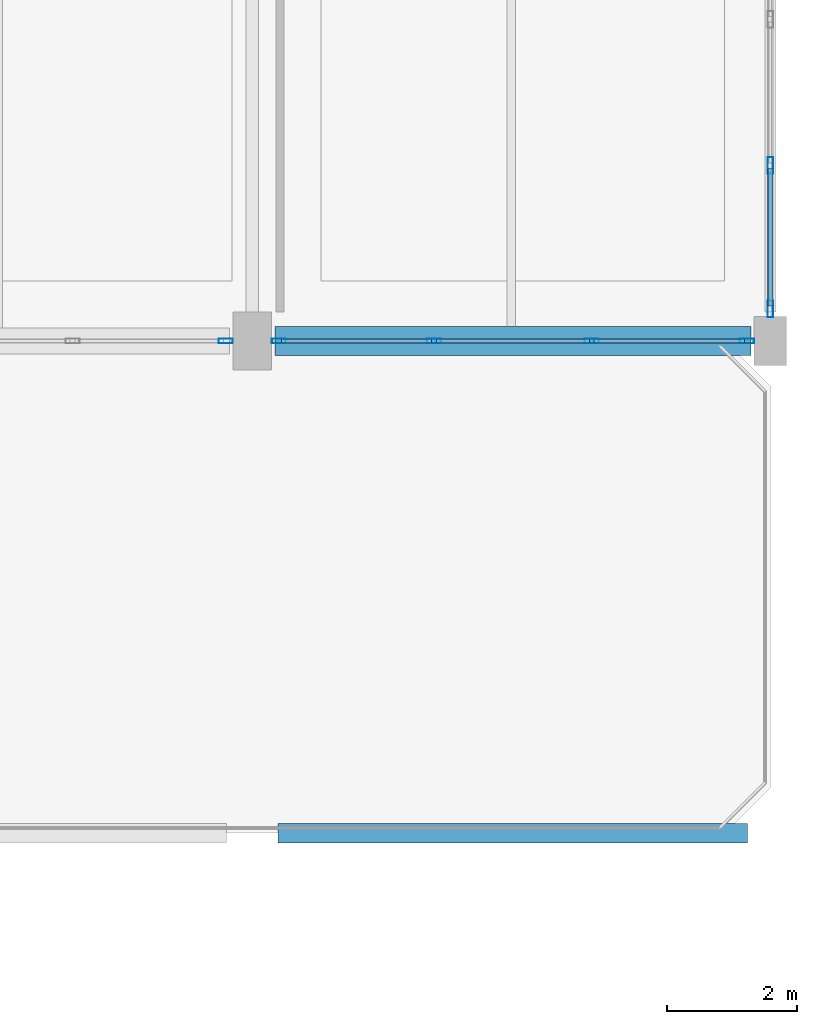
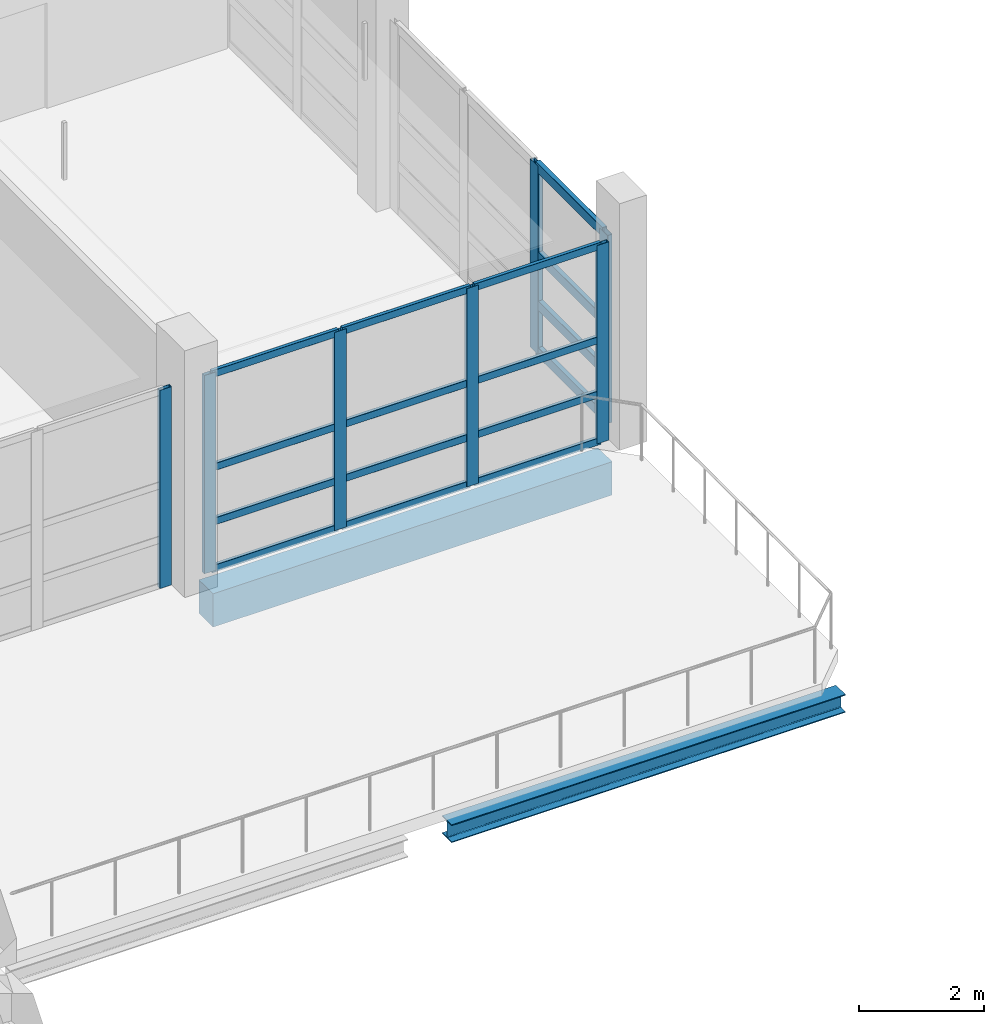
# One storey, part 66 of 141: 23 members, 2 beams, 3 elements without a shape of their own.
"""IFC4 building model written with IfcOpenShell, lengths in metres."""

from ifc_helpers import new_model, si_unit, direction, frame, origin, origin_2d, place, context, subcontext, project, spatial, rectangle, hollow_rectangle, i_section, extrude, material, material_profile, profile_set, type_object, element, aggregate, save


model = new_model("IFC4")

# Units and contexts
model_context = context("Model", 3, precision=1e-05, world=origin(), true_north=direction((0.0, 1.0)))
body_context = subcontext(model_context, "Body", "Model", "MODEL_VIEW")
ifc_project = project(units=[si_unit("LENGTHUNIT", "METRE"), si_unit("AREAUNIT", "SQUARE_METRE"), si_unit("VOLUMEUNIT", "CUBIC_METRE"), si_unit("PLANEANGLEUNIT", "RADIAN"), si_unit("MASSUNIT", "GRAM", prefix="KILO")], contexts=[model_context])

# Site, building, storey
site_placement = place(None, origin())
site = spatial("IfcSite", under=ifc_project, at=site_placement, CompositionType="ELEMENT")
building_placement = place(site_placement, origin())
building = spatial("IfcBuilding", under=site, at=building_placement, Name="Khelvaren Railside Concert Hall", CompositionType="ELEMENT")
storey_placement = place(building_placement, frame((0.0, 0.0, 10.199951171875)))
storey = spatial("IfcBuildingStorey", under=building, at=storey_placement, Name="L02", CompositionType="ELEMENT", Elevation=10.199951171875)

# Curtain wall, member
ifc_material_1 = material(Name="Double-glazed clear foyer glass", Category="glass")
curtain_wall_type_1 = type_object("IfcCurtainWallType", Name="CW70", PredefinedType="USERDEFINED", material=ifc_material_1)
curtain_wall_1_placement = place(storey_placement, origin())
curtain_wall_1 = element("IfcCurtainWall", 1, at=curtain_wall_1_placement, inside=storey, type_object=curtain_wall_type_1, Name="Unitised Curtain Wall CW-V5-L02-S-168", ObjectType="UNITISED CURTAIN WALL", PredefinedType="USERDEFINED")
ifc_material_2 = material(Name="Anodised architectural aluminium 6063-T6", Category="aluminium")
ifc_material_profile_1 = material_profile(ifc_material_2, hollow_rectangle(XDim=0.074951171875, YDim=0.219970703125, WallThickness=0.0048828125, InnerFilletRadius=0.0029296875, OuterFilletRadius=0.0048828125, at=origin_2d()), Name="CWM 75x220x5")
ifc_profile_set_1 = profile_set([ifc_material_profile_1], Name="Anodised architectural aluminium 6063-T6")
member_type_1 = type_object("IfcMemberType", Name="CWM13", PredefinedType="MULLION", material=ifc_profile_set_1)
member_1_placement = place(storey_placement, frame((175.590087890625, 91.199951171875, 0.0), z_axis=(0.0, 0.0, 1.0), x_axis=(0.0, -1.0, 0.0)))
member_1 = element("IfcMember", 2, at=member_1_placement, type_object=member_type_1, Name="CW70 mullion 1", PredefinedType="MULLION", context=body_context, shape_type="SweptSolid", body=[
    extrude(hollow_rectangle(XDim=0.074951171875, YDim=0.219970703125, WallThickness=0.0048828125, InnerFilletRadius=0.0029296875, OuterFilletRadius=0.0048828125, at=origin_2d()), origin(), (0.0, 0.0, 1.0), 3.860107421875),
])
aggregate(curtain_wall_1, [member_1])

# Curtain wall, members
curtain_wall_type_2 = type_object("IfcCurtainWallType", Name="CW83", PredefinedType="USERDEFINED", material=ifc_material_1)
curtain_wall_2_placement = place(storey_placement, origin())
curtain_wall_2 = element("IfcCurtainWall", 3, at=curtain_wall_2_placement, inside=storey, type_object=curtain_wall_type_2, Name="Unitised Curtain Wall CW-V5-L02-S-176", ObjectType="UNITISED CURTAIN WALL", PredefinedType="USERDEFINED")
member_2_placement = place(storey_placement, frame((183.639892578125, 91.199951171875, 0.0), z_axis=(0.0, 0.0, 1.0), x_axis=(0.0, -1.0, 0.0)))
member_2 = element("IfcMember", 4, at=member_2_placement, type_object=member_type_1, Name="CW83 mullion 1", PredefinedType="MULLION", context=body_context, shape_type="SweptSolid", body=[
    extrude(hollow_rectangle(XDim=0.074951171875, YDim=0.219970703125, WallThickness=0.0048828125, InnerFilletRadius=0.0029296875, OuterFilletRadius=0.0048828125, at=origin_2d()), origin(), (0.0, 0.0, 1.0), 3.860107421875),
])
member_3_placement = place(storey_placement, frame((181.242431640625, 91.199951171875, 0.0), z_axis=(0.0, 0.0, 1.0), x_axis=(0.0, -1.0, 0.0)))
member_3 = element("IfcMember", 5, at=member_3_placement, type_object=member_type_1, Name="CW83 mullion 2", PredefinedType="MULLION", context=body_context, shape_type="SweptSolid", body=[
    extrude(hollow_rectangle(XDim=0.074951171875, YDim=0.219970703125, WallThickness=0.0048828125, InnerFilletRadius=0.0029296875, OuterFilletRadius=0.0048828125, at=origin_2d()), origin(), (0.0, 0.0, 1.0), 3.860107421875),
])
member_4_placement = place(storey_placement, frame((178.8076171875, 91.199951171875, 0.0), z_axis=(0.0, 0.0, 1.0), x_axis=(0.0, -1.0, 0.0)))
member_4 = element("IfcMember", 6, at=member_4_placement, type_object=member_type_1, Name="CW83 mullion 3", PredefinedType="MULLION", context=body_context, shape_type="SweptSolid", body=[
    extrude(hollow_rectangle(XDim=0.074951171875, YDim=0.219970703125, WallThickness=0.0048828125, InnerFilletRadius=0.0029296875, OuterFilletRadius=0.0048828125, at=origin_2d()), origin(), (0.0, 0.0, 1.0), 3.860107421875),
])
member_5_placement = place(storey_placement, frame((176.409912109375, 91.199951171875, 0.0), z_axis=(0.0, 0.0, 1.0), x_axis=(0.0, -1.0, 0.0)))
member_5 = element("IfcMember", 7, at=member_5_placement, type_object=member_type_1, Name="CW83 mullion 4", PredefinedType="MULLION", context=body_context, shape_type="SweptSolid", body=[
    extrude(hollow_rectangle(XDim=0.074951171875, YDim=0.219970703125, WallThickness=0.0048828125, InnerFilletRadius=0.0029296875, OuterFilletRadius=0.0048828125, at=origin_2d()), origin(), (0.0, 0.0, 1.0), 3.860107421875),
])

ifc_material_3 = material(Name="Acoustic laminated crystal facade glass", Category="glass")
curtain_wall_type_3 = type_object("IfcCurtainWallType", Name="CW15", PredefinedType="USERDEFINED", material=ifc_material_3)
curtain_wall_3_placement = place(storey_placement, origin())
curtain_wall_3 = element("IfcCurtainWall", 8, at=curtain_wall_3_placement, inside=storey, type_object=curtain_wall_type_3, Name="Unitised Curtain Wall CW-V5-L02-E-91", ObjectType="UNITISED CURTAIN WALL", PredefinedType="USERDEFINED")
ifc_material_profile_2 = material_profile(ifc_material_2, hollow_rectangle(XDim=0.0849609375, YDim=0.260009765625, WallThickness=0.0048828125, InnerFilletRadius=0.0029296875, OuterFilletRadius=0.0048828125, at=origin_2d()), Name="CWM 85x260x5")
ifc_profile_set_2 = profile_set([ifc_material_profile_2], Name="Anodised architectural aluminium 6063-T6")
member_type_2 = type_object("IfcMemberType", Name="CWM40", PredefinedType="MULLION", material=ifc_profile_set_2)
member_6_placement = place(storey_placement, frame((184.0, 93.9091796875, 0.0), z_axis=(0.0, 0.0, 1.0), x_axis=(1.0, 0.0, 0.0)))
member_6 = element("IfcMember", 9, at=member_6_placement, type_object=member_type_2, Name="CW15 mullion 3", PredefinedType="MULLION", context=body_context, shape_type="SweptSolid", body=[
    extrude(hollow_rectangle(XDim=0.0849609375, YDim=0.260009765625, WallThickness=0.0048828125, InnerFilletRadius=0.0029296875, OuterFilletRadius=0.0048828125, at=origin_2d()), origin(), (0.0, 0.0, 1.0), 3.66015625),
])
member_7_placement = place(storey_placement, frame((184.0, 91.695068359375, 0.0), z_axis=(0.0, 0.0, 1.0), x_axis=(1.0, 0.0, 0.0)))
member_7 = element("IfcMember", 10, at=member_7_placement, type_object=member_type_2, Name="CW15 mullion 4", PredefinedType="MULLION", context=body_context, shape_type="SweptSolid", body=[
    extrude(hollow_rectangle(XDim=0.0849609375, YDim=0.260009765625, WallThickness=0.0048828125, InnerFilletRadius=0.0029296875, OuterFilletRadius=0.0048828125, at=origin_2d()), origin(), (0.0, 0.0, 1.0), 3.66015625),
])
ifc_material_profile_3 = material_profile(ifc_material_2, hollow_rectangle(XDim=0.0849609375, YDim=0.18994140625, WallThickness=0.0048828125, InnerFilletRadius=0.0029296875, OuterFilletRadius=0.0048828125, at=origin_2d()), Name="CWT 85x190x5")
ifc_profile_set_3 = profile_set([ifc_material_profile_3], Name="Anodised architectural aluminium 6063-T6")
member_type_3 = type_object("IfcMemberType", Name="CWT31", PredefinedType="USERDEFINED", material=ifc_profile_set_3)
member_8_placement = place(storey_placement, frame((184.0, 93.86669921875, 0.04248046875), z_axis=(0.0, -1.0, 0.0), x_axis=(1.0, 0.0, 0.0)))
member_8 = element("IfcMember", 11, at=member_8_placement, type_object=member_type_3, Name="CW15 transom 3.1", ObjectType="TRANSOM", PredefinedType="USERDEFINED", context=body_context, shape_type="SweptSolid", body=[
    extrude(hollow_rectangle(XDim=0.0849609375, YDim=0.18994140625, WallThickness=0.0048828125, InnerFilletRadius=0.0029296875, OuterFilletRadius=0.0048828125, at=origin_2d()), origin(), (0.0, 0.0, 1.0), 2.129150390625),
])
member_9_placement = place(storey_placement, frame((184.0, 93.86669921875, 0.949951171875), z_axis=(0.0, -1.0, 0.0), x_axis=(1.0, 0.0, 0.0)))
member_9 = element("IfcMember", 12, at=member_9_placement, type_object=member_type_3, Name="CW15 transom 3.2", ObjectType="TRANSOM", PredefinedType="USERDEFINED", context=body_context, shape_type="SweptSolid", body=[
    extrude(hollow_rectangle(XDim=0.0849609375, YDim=0.18994140625, WallThickness=0.0048828125, InnerFilletRadius=0.0029296875, OuterFilletRadius=0.0048828125, at=origin_2d()), origin(), (0.0, 0.0, 1.0), 2.129150390625),
])
member_10_placement = place(storey_placement, frame((184.0, 93.86669921875, 1.9033203125), z_axis=(0.0, -1.0, 0.0), x_axis=(1.0, 0.0, 0.0)))
member_10 = element("IfcMember", 13, at=member_10_placement, type_object=member_type_3, Name="CW15 transom 3.3", ObjectType="TRANSOM", PredefinedType="USERDEFINED", context=body_context, shape_type="SweptSolid", body=[
    extrude(hollow_rectangle(XDim=0.0849609375, YDim=0.18994140625, WallThickness=0.0048828125, InnerFilletRadius=0.0029296875, OuterFilletRadius=0.0048828125, at=origin_2d()), origin(), (0.0, 0.0, 1.0), 2.129150390625),
])
member_11_placement = place(storey_placement, frame((184.0, 93.86669921875, 3.617431640625), z_axis=(0.0, -1.0, 0.0), x_axis=(1.0, 0.0, 0.0)))
member_11 = element("IfcMember", 14, at=member_11_placement, type_object=member_type_3, Name="CW15 transom 3.4", ObjectType="TRANSOM", PredefinedType="USERDEFINED", context=body_context, shape_type="SweptSolid", body=[
    extrude(hollow_rectangle(XDim=0.0849609375, YDim=0.18994140625, WallThickness=0.0048828125, InnerFilletRadius=0.0029296875, OuterFilletRadius=0.0048828125, at=origin_2d()), origin(), (0.0, 0.0, 1.0), 2.129150390625),
])
aggregate(curtain_wall_3, [member_6, member_7, member_8, member_9, member_10, member_11])

# Member
ifc_material_profile_4 = material_profile(ifc_material_2, hollow_rectangle(XDim=0.06494140625, YDim=0.139892578125, WallThickness=0.00390625, InnerFilletRadius=0.001953125, OuterFilletRadius=0.00390625, at=origin_2d()), Name="CWT 65x140x4")
ifc_profile_set_4 = profile_set([ifc_material_profile_4], Name="Anodised architectural aluminium 6063-T6")
member_type_4 = type_object("IfcMemberType", Name="CWT72", PredefinedType="USERDEFINED", material=ifc_profile_set_4)
member_12_placement = place(storey_placement, frame((183.6025390625, 91.199951171875, 0.032470703125), z_axis=(-1.0, 0.0, 0.0), x_axis=(0.0, -1.0, 0.0)))
member_12 = element("IfcMember", 15, at=member_12_placement, type_object=member_type_4, Name="CW83 transom 1.1", ObjectType="TRANSOM", PredefinedType="USERDEFINED", context=body_context, shape_type="SweptSolid", body=[
    extrude(hollow_rectangle(XDim=0.06494140625, YDim=0.139892578125, WallThickness=0.00390625, InnerFilletRadius=0.001953125, OuterFilletRadius=0.00390625, at=origin_2d()), origin(), (0.0, 0.0, 1.0), 2.322509765625),
])

member_13_placement = place(storey_placement, frame((183.6025390625, 91.199951171875, 0.949951171875), z_axis=(-1.0, 0.0, 0.0), x_axis=(0.0, -1.0, 0.0)))
member_13 = element("IfcMember", 16, at=member_13_placement, type_object=member_type_4, Name="CW83 transom 1.2", ObjectType="TRANSOM", PredefinedType="USERDEFINED", context=body_context, shape_type="SweptSolid", body=[
    extrude(hollow_rectangle(XDim=0.06494140625, YDim=0.139892578125, WallThickness=0.00390625, InnerFilletRadius=0.001953125, OuterFilletRadius=0.00390625, at=origin_2d()), origin(), (0.0, 0.0, 1.0), 2.322509765625),
])

member_14_placement = place(storey_placement, frame((183.6025390625, 91.199951171875, 2.00732421875), z_axis=(-1.0, 0.0, 0.0), x_axis=(0.0, -1.0, 0.0)))
member_14 = element("IfcMember", 17, at=member_14_placement, type_object=member_type_4, Name="CW83 transom 1.3", ObjectType="TRANSOM", PredefinedType="USERDEFINED", context=body_context, shape_type="SweptSolid", body=[
    extrude(hollow_rectangle(XDim=0.06494140625, YDim=0.139892578125, WallThickness=0.00390625, InnerFilletRadius=0.001953125, OuterFilletRadius=0.00390625, at=origin_2d()), origin(), (0.0, 0.0, 1.0), 2.322509765625),
])

member_15_placement = place(storey_placement, frame((183.6025390625, 91.199951171875, 3.82763671875), z_axis=(-1.0, 0.0, 0.0), x_axis=(0.0, -1.0, 0.0)))
member_15 = element("IfcMember", 18, at=member_15_placement, type_object=member_type_4, Name="CW83 transom 1.4", ObjectType="TRANSOM", PredefinedType="USERDEFINED", context=body_context, shape_type="SweptSolid", body=[
    extrude(hollow_rectangle(XDim=0.06494140625, YDim=0.139892578125, WallThickness=0.00390625, InnerFilletRadius=0.001953125, OuterFilletRadius=0.00390625, at=origin_2d()), origin(), (0.0, 0.0, 1.0), 2.322509765625),
])

member_16_placement = place(storey_placement, frame((181.205078125, 91.199951171875, 0.032470703125), z_axis=(-1.0, 0.0, 0.0), x_axis=(0.0, -1.0, 0.0)))
member_16 = element("IfcMember", 19, at=member_16_placement, type_object=member_type_4, Name="CW83 transom 2.1", ObjectType="TRANSOM", PredefinedType="USERDEFINED", context=body_context, shape_type="SweptSolid", body=[
    extrude(hollow_rectangle(XDim=0.06494140625, YDim=0.139892578125, WallThickness=0.00390625, InnerFilletRadius=0.001953125, OuterFilletRadius=0.00390625, at=origin_2d()), origin(), (0.0, 0.0, 1.0), 2.360107421875),
])

member_17_placement = place(storey_placement, frame((181.205078125, 91.199951171875, 0.949951171875), z_axis=(-1.0, 0.0, 0.0), x_axis=(0.0, -1.0, 0.0)))
member_17 = element("IfcMember", 20, at=member_17_placement, type_object=member_type_4, Name="CW83 transom 2.2", ObjectType="TRANSOM", PredefinedType="USERDEFINED", context=body_context, shape_type="SweptSolid", body=[
    extrude(hollow_rectangle(XDim=0.06494140625, YDim=0.139892578125, WallThickness=0.00390625, InnerFilletRadius=0.001953125, OuterFilletRadius=0.00390625, at=origin_2d()), origin(), (0.0, 0.0, 1.0), 2.360107421875),
])

member_18_placement = place(storey_placement, frame((181.205078125, 91.199951171875, 2.00732421875), z_axis=(-1.0, 0.0, 0.0), x_axis=(0.0, -1.0, 0.0)))
member_18 = element("IfcMember", 21, at=member_18_placement, type_object=member_type_4, Name="CW83 transom 2.3", ObjectType="TRANSOM", PredefinedType="USERDEFINED", context=body_context, shape_type="SweptSolid", body=[
    extrude(hollow_rectangle(XDim=0.06494140625, YDim=0.139892578125, WallThickness=0.00390625, InnerFilletRadius=0.001953125, OuterFilletRadius=0.00390625, at=origin_2d()), origin(), (0.0, 0.0, 1.0), 2.360107421875),
])

member_19_placement = place(storey_placement, frame((181.205078125, 91.199951171875, 3.82763671875), z_axis=(-1.0, 0.0, 0.0), x_axis=(0.0, -1.0, 0.0)))
member_19 = element("IfcMember", 22, at=member_19_placement, type_object=member_type_4, Name="CW83 transom 2.4", ObjectType="TRANSOM", PredefinedType="USERDEFINED", context=body_context, shape_type="SweptSolid", body=[
    extrude(hollow_rectangle(XDim=0.06494140625, YDim=0.139892578125, WallThickness=0.00390625, InnerFilletRadius=0.001953125, OuterFilletRadius=0.00390625, at=origin_2d()), origin(), (0.0, 0.0, 1.0), 2.360107421875),
])

member_20_placement = place(storey_placement, frame((178.77001953125, 91.199951171875, 0.032470703125), z_axis=(-1.0, 0.0, 0.0), x_axis=(0.0, -1.0, 0.0)))
member_20 = element("IfcMember", 23, at=member_20_placement, type_object=member_type_4, Name="CW83 transom 3.1", ObjectType="TRANSOM", PredefinedType="USERDEFINED", context=body_context, shape_type="SweptSolid", body=[
    extrude(hollow_rectangle(XDim=0.06494140625, YDim=0.139892578125, WallThickness=0.00390625, InnerFilletRadius=0.001953125, OuterFilletRadius=0.00390625, at=origin_2d()), origin(), (0.0, 0.0, 1.0), 2.322509765625),
])

member_21_placement = place(storey_placement, frame((178.77001953125, 91.199951171875, 0.949951171875), z_axis=(-1.0, 0.0, 0.0), x_axis=(0.0, -1.0, 0.0)))
member_21 = element("IfcMember", 24, at=member_21_placement, type_object=member_type_4, Name="CW83 transom 3.2", ObjectType="TRANSOM", PredefinedType="USERDEFINED", context=body_context, shape_type="SweptSolid", body=[
    extrude(hollow_rectangle(XDim=0.06494140625, YDim=0.139892578125, WallThickness=0.00390625, InnerFilletRadius=0.001953125, OuterFilletRadius=0.00390625, at=origin_2d()), origin(), (0.0, 0.0, 1.0), 2.322509765625),
])

member_22_placement = place(storey_placement, frame((178.77001953125, 91.199951171875, 2.00732421875), z_axis=(-1.0, 0.0, 0.0), x_axis=(0.0, -1.0, 0.0)))
member_22 = element("IfcMember", 25, at=member_22_placement, type_object=member_type_4, Name="CW83 transom 3.3", ObjectType="TRANSOM", PredefinedType="USERDEFINED", context=body_context, shape_type="SweptSolid", body=[
    extrude(hollow_rectangle(XDim=0.06494140625, YDim=0.139892578125, WallThickness=0.00390625, InnerFilletRadius=0.001953125, OuterFilletRadius=0.00390625, at=origin_2d()), origin(), (0.0, 0.0, 1.0), 2.322509765625),
])

member_23_placement = place(storey_placement, frame((178.77001953125, 91.199951171875, 3.82763671875), z_axis=(-1.0, 0.0, 0.0), x_axis=(0.0, -1.0, 0.0)))
member_23 = element("IfcMember", 26, at=member_23_placement, type_object=member_type_4, Name="CW83 transom 3.4", ObjectType="TRANSOM", PredefinedType="USERDEFINED", context=body_context, shape_type="SweptSolid", body=[
    extrude(hollow_rectangle(XDim=0.06494140625, YDim=0.139892578125, WallThickness=0.00390625, InnerFilletRadius=0.001953125, OuterFilletRadius=0.00390625, at=origin_2d()), origin(), (0.0, 0.0, 1.0), 2.322509765625),
])

aggregate(curtain_wall_2, [member_2, member_3, member_4, member_5, member_12, member_13, member_14, member_15, member_16, member_17, member_18, member_19, member_20, member_21, member_22, member_23])

# Beams
ifc_material_4 = material(Name="Concrete C40/50", Category="concrete")
ifc_material_profile_5 = material_profile(ifc_material_4, rectangle(XDim=0.449951171875, YDim=0.64990234375, at=origin_2d()), Name="RCB 450x650")
ifc_profile_set_5 = profile_set([ifc_material_profile_5], Name="Concrete C40/50")
beam_type_1 = type_object("IfcBeamType", Name="SP34", PredefinedType="SPANDREL", material=ifc_profile_set_5)
beam_1_placement = place(storey_placement, frame((176.35009765625, 91.199951171875, -0.614990234375), z_axis=(1.0, 0.0, 0.0), x_axis=(0.0, 1.0, 0.0)))
element("IfcBeam", 27, at=beam_1_placement, inside=storey, type_object=beam_type_1, Name="V5 L02 Spandrel X2.7", PredefinedType="SPANDREL", context=body_context, shape_type="SweptSolid", body=[
    extrude(rectangle(XDim=0.449951171875, YDim=0.64990234375, at=origin_2d()), origin(), (0.0, 0.0, 1.0), 7.349853515625),
])
ifc_material_5 = material(Name="Steel S355", Category="steel")
ifc_material_profile_6 = material_profile(ifc_material_5, i_section(OverallWidth=0.300048828125, OverallDepth=0.35009765625, WebThickness=0.010009765625, FlangeThickness=0.017578125, FilletRadius=0.027099609375, at=origin_2d()), Name="HEA 360")
ifc_profile_set_6 = profile_set([ifc_material_profile_6], Name="Steel S355")
beam_type_2 = type_object("IfcBeamType", Name="SP38", PredefinedType="SPANDREL", material=ifc_profile_set_6)
beam_2_placement = place(storey_placement, frame((176.39990234375, 83.60009765625, -0.4150390625), z_axis=(1.0, 0.0, 0.0), x_axis=(0.0, 1.0, 0.0)))
element("IfcBeam", 28, at=beam_2_placement, inside=storey, type_object=beam_type_2, Name="V5 L02 Terrace Edge Spandrel 26", PredefinedType="SPANDREL", context=body_context, shape_type="SweptSolid", body=[
    extrude(i_section(OverallWidth=0.300048828125, OverallDepth=0.35009765625, WebThickness=0.010009765625, FlangeThickness=0.017578125, FilletRadius=0.027099609375, at=origin_2d()), origin(), (0.0, 0.0, 1.0), 7.25),
])

save(model, "model.ifc")
